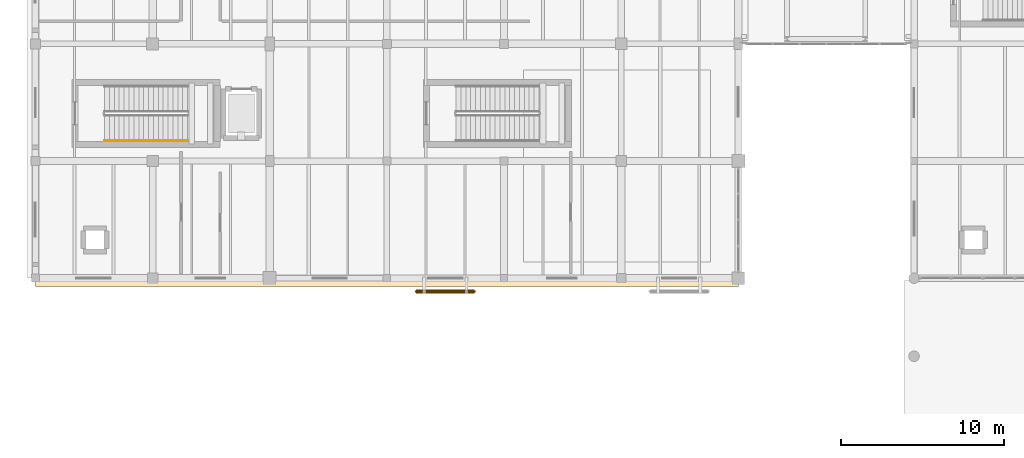
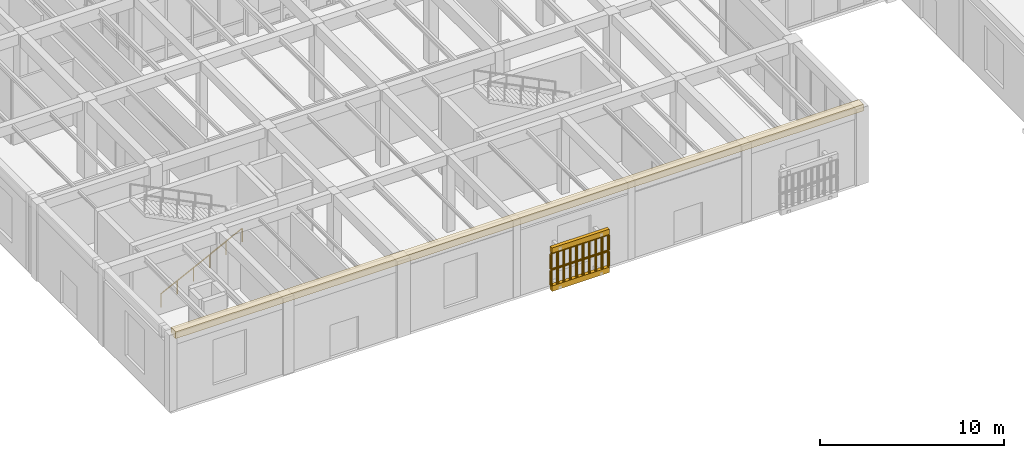
# One storey, part 142 of 169: 3 coverings, 3 railings.
"""IFC4 building model written with IfcOpenShell, lengths in metres."""

from ifc_helpers import new_model, si_unit, direction, frame, origin, origin_2d, place, context, subcontext, project, spatial, polyline, circle, outline, extrude, material, layer, layer_set, type_object, element, save


model = new_model("IFC4")

# Units and contexts
model_context = context("Model", 3, precision=1e-05, world=origin(), true_north=direction((0.0, 1.0)))
body_context = subcontext(model_context, "Body", "Model", "MODEL_VIEW")
ifc_project = project(units=[si_unit("LENGTHUNIT", "METRE"), si_unit("AREAUNIT", "SQUARE_METRE"), si_unit("VOLUMEUNIT", "CUBIC_METRE"), si_unit("PLANEANGLEUNIT", "RADIAN"), si_unit("MASSUNIT", "GRAM", prefix="KILO")], contexts=[model_context])

# Site, building, storey
site_placement = place(None, origin())
site = spatial("IfcSite", under=ifc_project, at=site_placement, CompositionType="ELEMENT")
building_placement = place(site_placement, origin())
building = spatial("IfcBuilding", under=site, at=building_placement, Name="Mazaris Harbour Polytechnic", CompositionType="ELEMENT")
storey_placement = place(building_placement, origin())
storey = spatial("IfcBuildingStorey", under=building, at=storey_placement, Name="L00", CompositionType="ELEMENT", Elevation=0.0)

# Covering
ifc_material_1 = material(Name="Algerian Buff Limestone", Category="masonry")
ifc_layer_1 = layer(ifc_material_1, 0.054931640625, Name="Algerian Buff Limestone")
ifc_layer_set_1 = layer_set([ifc_layer_1], Name="Algerian Buff Limestone")
covering_type_1 = type_object("IfcCoveringType", Name="Limestone Colonnade Fascia Cladding 55", PredefinedType="CLADDING", material=ifc_layer_set_1)
covering_1_placement = place(storey_placement, frame((0.0, 0.0, 4.949951171875)))
element("IfcCovering", 1, at=covering_1_placement, inside=storey, type_object=covering_type_1, Name="Covering COV-CL-05", PredefinedType="CLADDING", context=body_context, shape_type="SweptSolid", body=[
    extrude(outline(polyline([(0.0, 6.699951171875), (43.199951171875, 6.699951171875), (43.199951171875, 7.219970703125), (0.0, 7.219970703125), (0.0, 6.699951171875)])), origin(), (0.0, 0.0, 1.0), 0.449951171875),
])

# Railings
ifc_material_2 = material(Name="Perforated Earth-Coloured Terracotta Block", Category="masonry")
railing_type_1 = type_object("IfcRailingType", Name="Perforated Earth-Block Claustra Lattice 1040", PredefinedType="BALUSTRADE", material=ifc_material_2)
for number, where, name in (
    (2, (27.0, 6.3798828125, 0.52001953125), "V4 L00 Lower Perforated Terracotta Block Screen 136"),
    (3, (27.0, 6.3798828125, 1.610107421875), "V4 L00 Upper Perforated Terracotta Block Screen 136"),
):
    element("IfcRailing", number, at=place(storey_placement, frame(where)), inside=storey, type_object=railing_type_1, Name=name, PredefinedType="BALUSTRADE", context=body_context, shape_type="SweptSolid", body=[
        extrude(circle(Radius=0.06982421875, at=origin_2d()), frame((0.0, 0.0, 1.02001953125), z_axis=(-1.0, 0.0, 0.0), x_axis=(0.0, -1.0, 0.0)), (0.0, 0.0, 1.0), 3.60009765625),
        extrude(circle(Radius=0.074951171875, at=origin_2d()), origin(), (0.0, 0.0, 1.0), 0.9501953125),
        extrude(circle(Radius=0.074951171875, at=origin_2d()), frame((-0.39990234375, 0.0, 0.0)), (0.0, 0.0, 1.0), 0.9501953125),
        extrude(circle(Radius=0.074951171875, at=origin_2d()), frame((-0.800048828125, 0.0, 0.0)), (0.0, 0.0, 1.0), 0.9501953125),
        extrude(circle(Radius=0.074951171875, at=origin_2d()), frame((-1.199951171875, 0.0, 0.0)), (0.0, 0.0, 1.0), 0.9501953125),
        extrude(circle(Radius=0.074951171875, at=origin_2d()), frame((-1.60009765625, 0.0, 0.0)), (0.0, 0.0, 1.0), 0.9501953125),
        extrude(circle(Radius=0.074951171875, at=origin_2d()), frame((-2.0, 0.0, 0.0)), (0.0, 0.0, 1.0), 0.9501953125),
        extrude(circle(Radius=0.074951171875, at=origin_2d()), frame((-2.400146484375, 0.0, 0.0)), (0.0, 0.0, 1.0), 0.9501953125),
        extrude(circle(Radius=0.074951171875, at=origin_2d()), frame((-2.800048828125, 0.0, 0.0)), (0.0, 0.0, 1.0), 0.9501953125),
        extrude(circle(Radius=0.074951171875, at=origin_2d()), frame((-3.2001953125, 0.0, 0.0)), (0.0, 0.0, 1.0), 0.9501953125),
        extrude(circle(Radius=0.074951171875, at=origin_2d()), frame((-3.60009765625, 0.0, 0.0)), (0.0, 0.0, 1.0), 0.9501953125),
    ])
ifc_material_3 = material(Name="Stainless Steel S355", Category="steel")
railing_type_2 = type_object("IfcRailingType", Name="Stair Wall Handrail 900", PredefinedType="HANDRAIL", material=ifc_material_3)
railing_placement = place(storey_placement, frame((4.25, 15.64990234375, 0.14990234375)))
element("IfcRailing", 4, at=railing_placement, inside=storey, type_object=railing_type_2, Name="L00 ST07 stair handrail 1", PredefinedType="HANDRAIL", context=body_context, shape_type="SweptSolid", body=[
    extrude(circle(Radius=0.02392578125, at=origin_2d()), frame((0.0, 0.0, 0.8759765625), z_axis=(0.894427191, 0.0, 0.4472135955), x_axis=(0.0, 1.0, 0.0)), (0.0, 0.0, 1.0), 5.7021484375),
    extrude(circle(Radius=0.02099609375, at=origin_2d()), origin(), (0.0, 0.0, 1.0), 0.851806640625),
    extrude(circle(Radius=0.02099609375, at=origin_2d()), frame((1.02001953125, 0.0, 0.510009765625)), (0.0, 0.0, 1.0), 0.851806640625),
    extrude(circle(Radius=0.02099609375, at=origin_2d()), frame((2.0400390625, 0.0, 1.02001953125)), (0.0, 0.0, 1.0), 0.851806640625),
    extrude(circle(Radius=0.02099609375, at=origin_2d()), frame((3.06005859375, 0.0, 1.530029296875)), (0.0, 0.0, 1.0), 0.851806640625),
    extrude(circle(Radius=0.02099609375, at=origin_2d()), frame((4.080078125, 0.0, 2.0400390625)), (0.0, 0.0, 1.0), 0.851806640625),
    extrude(circle(Radius=0.02099609375, at=origin_2d()), frame((5.10009765625, 0.0, 2.550048828125)), (0.0, 0.0, 1.0), 0.851806640625),
])

# Coverings
ifc_material_4 = material(Name="Perforated Earth-Coloured Terracotta Block", Category="masonry")
ifc_layer_2 = layer(ifc_material_4, 0.219970703125, Name="Perforated Earth-Coloured Terracotta Block")
ifc_layer_set_2 = layer_set([ifc_layer_2], Name="Perforated Earth-Coloured Terracotta Block")
covering_type_2 = type_object("IfcCoveringType", Name="Terracotta Screen Course Cladding 220", PredefinedType="CLADDING", material=ifc_layer_set_2)
covering_2_placement = place(storey_placement, frame((0.0, 0.0, 0.159912109375)))
element("IfcCovering", 5, at=covering_2_placement, inside=storey, type_object=covering_type_2, Name="V4 L00 Perforated Screen Sill Course 136", PredefinedType="CLADDING", context=body_context, shape_type="SweptSolid", body=[
    extrude(outline(polyline([(27.0, 6.489990234375), (23.39990234375, 6.489990234375), (23.39990234375, 6.27001953125), (27.0, 6.27001953125), (27.0, 6.489990234375)])), origin(), (0.0, 0.0, 1.0), 0.360107421875),
])
covering_3_placement = place(storey_placement, frame((0.0, 0.0, 2.699951171875)))
element("IfcCovering", 6, at=covering_3_placement, inside=storey, type_object=covering_type_2, Name="V4 L00 Perforated Screen Lintel Course 136", PredefinedType="CLADDING", context=body_context, shape_type="SweptSolid", body=[
    extrude(outline(polyline([(27.0, 6.489990234375), (23.39990234375, 6.489990234375), (23.39990234375, 6.27001953125), (27.0, 6.27001953125), (27.0, 6.489990234375)])), origin(), (0.0, 0.0, 1.0), 0.340087890625),
])

save(model, "model.ifc")
